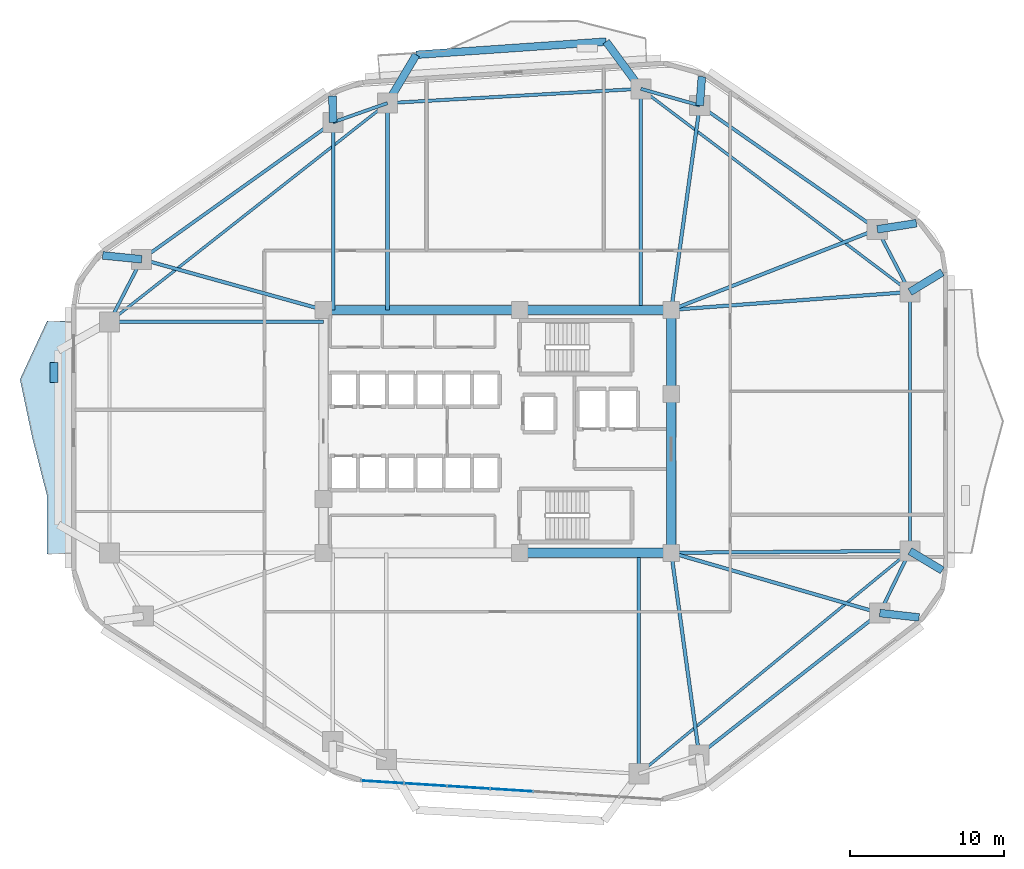
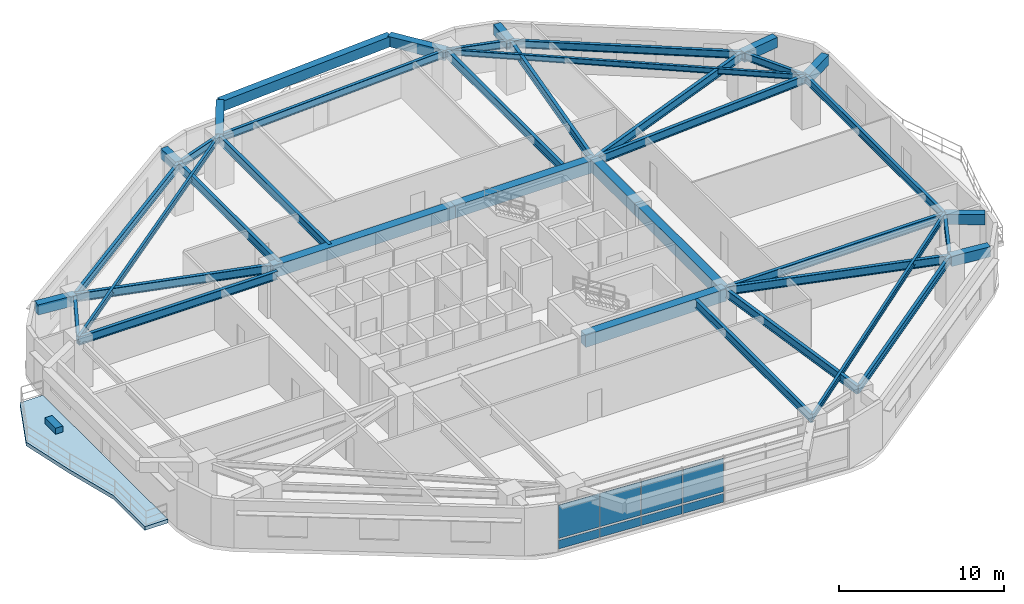
# One storey, part 6 of 13: 40 beams, 9 plates, 1 slab, 1 element without a shape of its own.
"""IFC4 building model written with IfcOpenShell, lengths in metres."""

from ifc_helpers import new_model, si_unit, direction, frame, origin, origin_2d, place, context, subcontext, project, spatial, polyline, rectangle, i_section, outline, extrude, material, layer, layer_set, material_profile, profile_set, type_object, element, aggregate, save


model = new_model("IFC4")

# Units and contexts
model_context = context("Model", 3, precision=1e-05, world=origin(), true_north=direction((0.0, 1.0)))
body_context = subcontext(model_context, "Body", "Model", "MODEL_VIEW")
ifc_project = project(units=[si_unit("LENGTHUNIT", "METRE"), si_unit("AREAUNIT", "SQUARE_METRE"), si_unit("VOLUMEUNIT", "CUBIC_METRE"), si_unit("PLANEANGLEUNIT", "RADIAN"), si_unit("MASSUNIT", "GRAM", prefix="KILO")], contexts=[model_context])

# Site, building, storey
site_placement = place(None, origin())
site = spatial("IfcSite", under=ifc_project, at=site_placement, CompositionType="ELEMENT")
building_placement = place(site_placement, origin())
building = spatial("IfcBuilding", under=site, at=building_placement, Name="Zulverin Broadcast Headquarters", CompositionType="ELEMENT")
storey_placement = place(building_placement, frame((0.0, 0.0, 47.800048828125)))
storey = spatial("IfcBuildingStorey", under=building, at=storey_placement, Name="L11", CompositionType="ELEMENT", Elevation=47.800048828125)

# Beams
ifc_material_1 = material(Name="Concrete C60/75", Category="concrete")
ifc_material_profile_1 = material_profile(ifc_material_1, rectangle(XDim=0.60009765625, YDim=0.89990234375, at=origin_2d()), Name="Concrete C60/75", Category="concrete")
ifc_profile_set_1 = profile_set([ifc_material_profile_1], Name="Concrete C60/75")
beam_type_1 = type_object("IfcBeamType", Name="BM-CB-600x900", PredefinedType="LINTEL", material=ifc_profile_set_1)
beam_1_placement = place(storey_placement, frame((38.449951171875, 17.324951171875, 3.074951171875), z_axis=(1.0, 0.0, 0.0), x_axis=(0.0, 1.0, 0.0)))
element("IfcBeam", 1, at=beam_1_placement, inside=storey, type_object=beam_type_1, Name="L11 Core Coupling Girder K02-K03", PredefinedType="LINTEL", context=body_context, shape_type="SweptSolid", body=[
    extrude(rectangle(XDim=0.60009765625, YDim=0.89990234375, at=origin_2d()), origin(), (0.0, 0.0, 1.0), 9.824951171875),
])
beam_2_placement = place(storey_placement, frame((48.27490234375, 17.324951171875, 3.074951171875), z_axis=(0.0, 1.0, 0.0), x_axis=(-1.0, 0.0, 0.0)))
element("IfcBeam", 2, at=beam_2_placement, inside=storey, type_object=beam_type_1, Name="L11 Core Coupling Girder K03-K04", PredefinedType="LINTEL", context=body_context, shape_type="SweptSolid", body=[
    extrude(rectangle(XDim=0.60009765625, YDim=0.89990234375, at=origin_2d()), origin(), (0.0, 0.0, 1.0), 10.295166015625),
])
beam_3_placement = place(storey_placement, frame((48.27490234375, 27.6201171875, 3.074951171875), z_axis=(0.0, 1.0, 0.0), x_axis=(-1.0, 0.0, 0.0)))
element("IfcBeam", 3, at=beam_3_placement, inside=storey, type_object=beam_type_1, Name="L11 Core Coupling Girder K04-K05", PredefinedType="LINTEL", context=body_context, shape_type="SweptSolid", body=[
    extrude(rectangle(XDim=0.60009765625, YDim=0.89990234375, at=origin_2d()), origin(), (0.0, 0.0, 1.0), 5.454833984375),
])
beam_4_placement = place(storey_placement, frame((48.27490234375, 33.074951171875, 3.074951171875), z_axis=(-1.0, 0.0, 0.0), x_axis=(0.0, -1.0, 0.0)))
element("IfcBeam", 4, at=beam_4_placement, inside=storey, type_object=beam_type_1, Name="L11 Core Coupling Girder K05-K06", PredefinedType="LINTEL", context=body_context, shape_type="SweptSolid", body=[
    extrude(rectangle(XDim=0.60009765625, YDim=0.89990234375, at=origin_2d()), origin(), (0.0, 0.0, 1.0), 9.824951171875),
])
beam_5_placement = place(storey_placement, frame((38.449951171875, 33.074951171875, 3.074951171875), z_axis=(-1.0, 0.0, 0.0), x_axis=(0.0, -1.0, 0.0)))
element("IfcBeam", 5, at=beam_5_placement, inside=storey, type_object=beam_type_1, Name="L11 Core Coupling Girder K06-K07", PredefinedType="LINTEL", context=body_context, shape_type="SweptSolid", body=[
    extrude(rectangle(XDim=0.60009765625, YDim=0.89990234375, at=origin_2d()), origin(), (0.0, 0.0, 1.0), 12.724853515625),
])
ifc_material_2 = material(Name="Concrete C40/50", Category="concrete")
ifc_material_profile_2 = material_profile(ifc_material_2, rectangle(XDim=0.5, YDim=0.75, at=origin_2d()), Name="Concrete C40/50", Category="concrete")
ifc_profile_set_2 = profile_set([ifc_material_profile_2], Name="Concrete C40/50")
beam_type_2 = type_object("IfcBeamType", Name="BM-RC-500x750", PredefinedType="BEAM", material=ifc_profile_set_2)
beam_6_placement = place(storey_placement, frame((61.79296875, 13.416259765625, 3.14990234375), z_axis=(0.993797661948, -0.111203449166, 0.0), x_axis=(0.111203449166, 0.993797661948, 0.0)))
element("IfcBeam", 6, at=beam_6_placement, inside=storey, type_object=beam_type_2, Name="L12 Plate Overhang Back-Spanned Beam OVR-04", PredefinedType="BEAM", context=body_context, shape_type="SweptSolid", body=[
    extrude(rectangle(XDim=0.5, YDim=0.75, at=origin_2d()), origin(), (0.0, 0.0, 1.0), 2.568603515625),
])
beam_7_placement = place(storey_placement, frame((63.75, 17.439697265625, 3.14990234375), z_axis=(0.858161199639, -0.513380322407, 0.0), x_axis=(0.513380322407, 0.858161199639, 0.0)))
element("IfcBeam", 7, at=beam_7_placement, inside=storey, type_object=beam_type_2, Name="L12 Plate Overhang Back-Spanned Beam OVR-05", PredefinedType="BEAM", context=body_context, shape_type="SweptSolid", body=[
    extrude(rectangle(XDim=0.5, YDim=0.75, at=origin_2d()), origin(), (0.0, 0.0, 1.0), 2.447265625),
])
beam_8_placement = place(storey_placement, frame((63.75, 34.235107421875, 3.14990234375), z_axis=(0.854022127196, 0.520236682924, 0.0), x_axis=(-0.520236682924, 0.854022127196, 0.0)))
element("IfcBeam", 8, at=beam_8_placement, inside=storey, type_object=beam_type_2, Name="L12 Plate Overhang Back-Spanned Beam OVR-06", PredefinedType="BEAM", context=body_context, shape_type="SweptSolid", body=[
    extrude(rectangle(XDim=0.5, YDim=0.75, at=origin_2d()), origin(), (0.0, 0.0, 1.0), 2.458984375),
])
beam_9_placement = place(storey_placement, frame((61.630126953125, 38.298583984375, 3.14990234375), z_axis=(0.988133444256, 0.153597839639, 0.0), x_axis=(-0.153597839639, 0.988133444256, 0.0)))
element("IfcBeam", 9, at=beam_9_placement, inside=storey, type_object=beam_type_2, Name="L12 Plate Overhang Back-Spanned Beam OVR-07", PredefinedType="BEAM", context=body_context, shape_type="SweptSolid", body=[
    extrude(rectangle(XDim=0.5, YDim=0.75, at=origin_2d()), origin(), (0.0, 0.0, 1.0), 2.57177734375),
])
beam_10_placement = place(storey_placement, frame((50.121826171875, 46.325927734375, 3.14990234375), z_axis=(0.073023006252, 0.997330256514, 0.0), x_axis=(-0.997330256514, 0.073023006252, 0.0)))
element("IfcBeam", 10, at=beam_10_placement, inside=storey, type_object=beam_type_2, Name="L12 Plate Overhang Back-Spanned Beam OVR-08", PredefinedType="BEAM", context=body_context, shape_type="SweptSolid", body=[
    extrude(rectangle(XDim=0.5, YDim=0.75, at=origin_2d()), origin(), (0.0, 0.0, 1.0), 1.875732421875),
])
beam_11_placement = place(storey_placement, frame((26.344482421875, 45.23828125, 3.14990234375), z_axis=(-0.025024345209, 0.999686842039, 0.0), x_axis=(-0.999686842039, -0.025024345209, 0.0)))
element("IfcBeam", 11, at=beam_11_placement, inside=storey, type_object=beam_type_2, Name="L12 Plate Overhang Back-Spanned Beam OVR-11", PredefinedType="BEAM", context=body_context, shape_type="SweptSolid", body=[
    extrude(rectangle(XDim=0.5, YDim=0.75, at=origin_2d()), origin(), (0.0, 0.0, 1.0), 1.707275390625),
])
beam_12_placement = place(storey_placement, frame((13.934326171875, 36.353759765625, 3.14990234375), z_axis=(-0.995008621602, 0.09978899207, 0.0), x_axis=(-0.09978899207, -0.995008621602, 0.0)))
element("IfcBeam", 12, at=beam_12_placement, inside=storey, type_object=beam_type_2, Name="L12 Plate Overhang Back-Spanned Beam OVR-12", PredefinedType="BEAM", context=body_context, shape_type="SweptSolid", body=[
    extrude(rectangle(XDim=0.5, YDim=0.75, at=origin_2d()), origin(), (0.0, 0.0, 1.0), 2.5419921875),
])
beam_13_placement = place(storey_placement, frame((46.30224609375, 47.4091796875, 3.14990234375), z_axis=(-0.592925064887, 0.805257640404, 0.0), x_axis=(-0.805257640404, -0.592925064887, 0.0)))
element("IfcBeam", 13, at=beam_13_placement, inside=storey, type_object=beam_type_2, Name="L12 Balcony Column-Framed Cantilever BAL_N-1", PredefinedType="BEAM", context=body_context, shape_type="SweptSolid", body=[
    extrude(rectangle(XDim=0.5, YDim=0.75, at=origin_2d()), origin(), (0.0, 0.0, 1.0), 3.800048828125),
])
beam_14_placement = place(storey_placement, frame((29.873779296875, 46.482177734375, 3.14990234375), z_axis=(0.511007233639, 0.859576411477, 0.0), x_axis=(-0.859576411477, 0.511007233639, 0.0)))
element("IfcBeam", 14, at=beam_14_placement, inside=storey, type_object=beam_type_2, Name="L12 Balcony Column-Framed Cantilever BAL_N-2", PredefinedType="BEAM", context=body_context, shape_type="SweptSolid", body=[
    extrude(rectangle(XDim=0.5, YDim=0.75, at=origin_2d()), origin(), (0.0, 0.0, 1.0), 3.647705078125),
])
beam_15_placement = place(storey_placement, frame((44.049072265625, 50.46923828125, 3.14990234375), z_axis=(-0.997616354187, -0.069004419129, 0.0), x_axis=(0.069004419129, -0.997616354187, 0.0)))
element("IfcBeam", 15, at=beam_15_placement, inside=storey, type_object=beam_type_2, Name="L12 Balcony Outer Edge Trimmer Beam BAL_N", PredefinedType="BEAM", context=body_context, shape_type="SweptSolid", body=[
    extrude(rectangle(XDim=0.5, YDim=0.75, at=origin_2d()), origin(), (0.0, 0.0, 1.0), 12.340576171875),
])
ifc_material_3 = material(Name="Structural steel S355JR", Category="steel")
ifc_material_profile_3 = material_profile(ifc_material_3, i_section(OverallWidth=0.179443359375, OverallDepth=0.412841796875, WebThickness=0.009521484375, FlangeThickness=0.01611328125, at=origin_2d()), Name="Structural steel S355JR", Category="steel")
ifc_profile_set_3 = profile_set([ifc_material_profile_3], Name="Structural steel S355JR")
beam_type_3 = type_object("IfcBeamType", Name="BM-UB-406", PredefinedType="JOIST", material=ifc_profile_set_3)
beam_16_placement = place(storey_placement, frame((46.175048828125, 2.997802734375, 3.318603515625), z_axis=(0.772611370623, 0.634879256224, 0.0), x_axis=(-0.634879256224, 0.772611370623, 0.0)))
element("IfcBeam", 16, at=beam_16_placement, inside=storey, type_object=beam_type_3, Name="L11 Chordal Floor Joist J-01", PredefinedType="JOIST", context=body_context, shape_type="SweptSolid", body=[
    extrude(i_section(OverallWidth=0.179443359375, OverallDepth=0.412841796875, WebThickness=0.009521484375, FlangeThickness=0.01611328125, at=origin_2d()), origin(), (0.0, 0.0, 1.0), 22.74755859375),
])
beam_17_placement = place(storey_placement, frame((63.75, 34.235107421875, 3.318603515625), z_axis=(-0.798058136838, 0.602580459546, 0.0), x_axis=(-0.602580459546, -0.798058136838, 0.0)))
element("IfcBeam", 17, at=beam_17_placement, inside=storey, type_object=beam_type_3, Name="L11 Chordal Floor Joist J-02", PredefinedType="JOIST", context=body_context, shape_type="SweptSolid", body=[
    extrude(i_section(OverallWidth=0.179443359375, OverallDepth=0.412841796875, WebThickness=0.009521484375, FlangeThickness=0.01611328125, at=origin_2d()), origin(), (0.0, 0.0, 1.0), 21.86279296875),
])
beam_18_placement = place(storey_placement, frame((29.873779296875, 46.482177734375, 3.318603515625), z_axis=(-0.78583902739, -0.618431098047, 0.0), x_axis=(0.618431098047, -0.78583902739, 0.0)))
element("IfcBeam", 18, at=beam_18_placement, inside=storey, type_object=beam_type_3, Name="L11 Chordal Floor Joist J-03", PredefinedType="JOIST", context=body_context, shape_type="SweptSolid", body=[
    extrude(i_section(OverallWidth=0.179443359375, OverallDepth=0.412841796875, WebThickness=0.009521484375, FlangeThickness=0.01611328125, at=origin_2d()), origin(), (0.0, 0.0, 1.0), 22.935546875),
])
ifc_material_profile_4 = material_profile(ifc_material_3, i_section(OverallWidth=0.2119140625, OverallDepth=0.54443359375, WebThickness=0.0126953125, FlangeThickness=0.021240234375, at=origin_2d()), Name="Structural steel S355JR", Category="steel")
ifc_profile_set_4 = profile_set([ifc_material_profile_4], Name="Structural steel S355JR")
beam_type_4 = type_object("IfcBeamType", Name="BM-UB-533", PredefinedType="SPANDREL", material=ifc_profile_set_4)
beam_19_placement = place(storey_placement, frame((50.08056640625, 4.22509765625, 3.252685546875), z_axis=(0.786691476208, 0.617346354376, 0.0), x_axis=(-0.617346354376, 0.786691476208, 0.0)))
element("IfcBeam", 19, at=beam_19_placement, inside=storey, type_object=beam_type_4, Name="L11 Perimeter Spandrel Beam SP-03", PredefinedType="SPANDREL", context=body_context, shape_type="SweptSolid", body=[
    extrude(i_section(OverallWidth=0.2119140625, OverallDepth=0.54443359375, WebThickness=0.0126953125, FlangeThickness=0.021240234375, at=origin_2d()), origin(), (0.0, 0.0, 1.0), 14.88818359375),
])
beam_20_placement = place(storey_placement, frame((61.79296875, 13.416259765625, 3.252685546875), z_axis=(0.437408475872, 0.899262934428, 0.0), x_axis=(-0.899262934428, 0.437408475872, 0.0)))
element("IfcBeam", 20, at=beam_20_placement, inside=storey, type_object=beam_type_4, Name="L11 Perimeter Spandrel Beam SP-04", PredefinedType="SPANDREL", context=body_context, shape_type="SweptSolid", body=[
    extrude(i_section(OverallWidth=0.2119140625, OverallDepth=0.54443359375, WebThickness=0.0126953125, FlangeThickness=0.021240234375, at=origin_2d()), origin(), (0.0, 0.0, 1.0), 4.47412109375),
])
beam_21_placement = place(storey_placement, frame((63.75, 17.439697265625, 3.252685546875), z_axis=(0.0, 1.0, 0.0), x_axis=(-1.0, 0.0, 0.0)))
element("IfcBeam", 21, at=beam_21_placement, inside=storey, type_object=beam_type_4, Name="L11 Perimeter Spandrel Beam SP-05", PredefinedType="SPANDREL", context=body_context, shape_type="SweptSolid", body=[
    extrude(i_section(OverallWidth=0.2119140625, OverallDepth=0.54443359375, WebThickness=0.0126953125, FlangeThickness=0.021240234375, at=origin_2d()), origin(), (0.0, 0.0, 1.0), 16.79541015625),
])
beam_22_placement = place(storey_placement, frame((63.75, 34.235107421875, 3.252685546875), z_axis=(-0.462531417359, 0.886602891917, 0.0), x_axis=(-0.886602891917, -0.462531417359, 0.0)))
element("IfcBeam", 22, at=beam_22_placement, inside=storey, type_object=beam_type_4, Name="L11 Perimeter Spandrel Beam SP-06", PredefinedType="SPANDREL", context=body_context, shape_type="SweptSolid", body=[
    extrude(i_section(OverallWidth=0.2119140625, OverallDepth=0.54443359375, WebThickness=0.0126953125, FlangeThickness=0.021240234375, at=origin_2d()), origin(), (0.0, 0.0, 1.0), 4.583251953125),
])
beam_23_placement = place(storey_placement, frame((61.630126953125, 38.298583984375, 3.252685546875), z_axis=(-0.820183915206, 0.5720999434, 0.0), x_axis=(-0.5720999434, -0.820183915206, 0.0)))
element("IfcBeam", 23, at=beam_23_placement, inside=storey, type_object=beam_type_4, Name="L11 Perimeter Spandrel Beam SP-07", PredefinedType="SPANDREL", context=body_context, shape_type="SweptSolid", body=[
    extrude(i_section(OverallWidth=0.2119140625, OverallDepth=0.54443359375, WebThickness=0.0126953125, FlangeThickness=0.021240234375, at=origin_2d()), origin(), (0.0, 0.0, 1.0), 14.03125),
])
beam_24_placement = place(storey_placement, frame((50.121826171875, 46.325927734375, 3.252685546875), z_axis=(-0.962058150721, 0.272844487999, 0.0), x_axis=(-0.272844487999, -0.962058150721, 0.0)))
element("IfcBeam", 24, at=beam_24_placement, inside=storey, type_object=beam_type_4, Name="L11 Perimeter Spandrel Beam SP-08", PredefinedType="SPANDREL", context=body_context, shape_type="SweptSolid", body=[
    extrude(i_section(OverallWidth=0.2119140625, OverallDepth=0.54443359375, WebThickness=0.0126953125, FlangeThickness=0.021240234375, at=origin_2d()), origin(), (0.0, 0.0, 1.0), 3.97021484375),
])
beam_25_placement = place(storey_placement, frame((46.30224609375, 47.4091796875, 3.252685546875), z_axis=(-0.998411812904, -0.056336949274, 0.0), x_axis=(0.056336949274, -0.998411812904, 0.0)))
element("IfcBeam", 25, at=beam_25_placement, inside=storey, type_object=beam_type_4, Name="L11 Perimeter Spandrel Beam SP-09", PredefinedType="SPANDREL", context=body_context, shape_type="SweptSolid", body=[
    extrude(i_section(OverallWidth=0.2119140625, OverallDepth=0.54443359375, WebThickness=0.0126953125, FlangeThickness=0.021240234375, at=origin_2d()), origin(), (0.0, 0.0, 1.0), 16.45458984375),
])
beam_26_placement = place(storey_placement, frame((29.873779296875, 46.482177734375, 3.252685546875), z_axis=(-0.943135983398, -0.332407155189, 0.0), x_axis=(0.332407155189, -0.943135983398, 0.0)))
element("IfcBeam", 26, at=beam_26_placement, inside=storey, type_object=beam_type_4, Name="L11 Perimeter Spandrel Beam SP-10", PredefinedType="SPANDREL", context=body_context, shape_type="SweptSolid", body=[
    extrude(i_section(OverallWidth=0.2119140625, OverallDepth=0.54443359375, WebThickness=0.0126953125, FlangeThickness=0.021240234375, at=origin_2d()), origin(), (0.0, 0.0, 1.0), 3.7421875),
])
beam_27_placement = place(storey_placement, frame((26.344482421875, 45.23828125, 3.252685546875), z_axis=(-0.813109374453, -0.582110938891, 0.0), x_axis=(0.582110938891, -0.813109374453, 0.0)))
element("IfcBeam", 27, at=beam_27_placement, inside=storey, type_object=beam_type_4, Name="L11 Perimeter Spandrel Beam SP-11", PredefinedType="SPANDREL", context=body_context, shape_type="SweptSolid", body=[
    extrude(i_section(OverallWidth=0.2119140625, OverallDepth=0.54443359375, WebThickness=0.0126953125, FlangeThickness=0.021240234375, at=origin_2d()), origin(), (0.0, 0.0, 1.0), 15.2626953125),
])
beam_28_placement = place(storey_placement, frame((13.934326171875, 36.353759765625, 3.252685546875), z_axis=(-0.457080631948, -0.889425261558, 0.0), x_axis=(0.889425261558, -0.457080631948, 0.0)))
element("IfcBeam", 28, at=beam_28_placement, inside=storey, type_object=beam_type_4, Name="L11 Perimeter Spandrel Beam SP-12", PredefinedType="SPANDREL", context=body_context, shape_type="SweptSolid", body=[
    extrude(i_section(OverallWidth=0.2119140625, OverallDepth=0.54443359375, WebThickness=0.0126953125, FlangeThickness=0.021240234375, at=origin_2d()), origin(), (0.0, 0.0, 1.0), 4.559814453125),
])
ifc_material_profile_5 = material_profile(ifc_material_3, i_section(OverallWidth=0.230224609375, OverallDepth=0.6171875, WebThickness=0.01318359375, FlangeThickness=0.022216796875, at=origin_2d()), Name="Structural steel S355JR", Category="steel")
ifc_profile_set_5 = profile_set([ifc_material_profile_5], Name="Structural steel S355JR")
beam_type_5 = type_object("IfcBeamType", Name="BM-UB-610", PredefinedType="BEAM", material=ifc_profile_set_5)
beam_29_placement = place(storey_placement, frame((46.175048828125, 17.324951171875, 3.21630859375), z_axis=(0.0, -1.0, 0.0), x_axis=(1.0, 0.0, 0.0)))
element("IfcBeam", 29, at=beam_29_placement, inside=storey, type_object=beam_type_5, Name="L11 Radial Primary Floor Beam RB-02", PredefinedType="BEAM", context=body_context, shape_type="SweptSolid", body=[
    extrude(i_section(OverallWidth=0.230224609375, OverallDepth=0.6171875, WebThickness=0.01318359375, FlangeThickness=0.022216796875, at=origin_2d()), origin(), (0.0, 0.0, 1.0), 14.3271484375),
])
beam_30_placement = place(storey_placement, frame((48.27490234375, 17.324951171875, 3.21630859375), z_axis=(0.136547433081, -0.990633533916, 0.0), x_axis=(0.990633533916, 0.136547433081, 0.0)))
element("IfcBeam", 30, at=beam_30_placement, inside=storey, type_object=beam_type_5, Name="L11 Radial Primary Floor Beam RB-03", PredefinedType="BEAM", context=body_context, shape_type="SweptSolid", body=[
    extrude(i_section(OverallWidth=0.230224609375, OverallDepth=0.6171875, WebThickness=0.01318359375, FlangeThickness=0.022216796875, at=origin_2d()), origin(), (0.0, 0.0, 1.0), 13.2236328125),
])
beam_31_placement = place(storey_placement, frame((48.27490234375, 17.324951171875, 3.21630859375), z_axis=(0.960648363311, -0.277767388416, 0.0), x_axis=(0.277767388416, 0.960648363311, 0.0)))
element("IfcBeam", 31, at=beam_31_placement, inside=storey, type_object=beam_type_5, Name="L11 Radial Primary Floor Beam RB-04", PredefinedType="BEAM", context=body_context, shape_type="SweptSolid", body=[
    extrude(i_section(OverallWidth=0.230224609375, OverallDepth=0.6171875, WebThickness=0.01318359375, FlangeThickness=0.022216796875, at=origin_2d()), origin(), (0.0, 0.0, 1.0), 14.07177734375),
])
beam_32_placement = place(storey_placement, frame((48.27490234375, 17.324951171875, 3.21630859375), z_axis=(0.999972510862, 0.007414682739, 0.0), x_axis=(-0.007414682739, 0.999972510862, 0.0)))
element("IfcBeam", 32, at=beam_32_placement, inside=storey, type_object=beam_type_5, Name="L11 Radial Primary Floor Beam RB-05", PredefinedType="BEAM", context=body_context, shape_type="SweptSolid", body=[
    extrude(i_section(OverallWidth=0.230224609375, OverallDepth=0.6171875, WebThickness=0.01318359375, FlangeThickness=0.022216796875, at=origin_2d()), origin(), (0.0, 0.0, 1.0), 15.4755859375),
])
beam_33_placement = place(storey_placement, frame((48.27490234375, 33.074951171875, 3.21630859375), z_axis=(0.997201597387, 0.074759442003, 0.0), x_axis=(-0.074759442003, 0.997201597387, 0.0)))
element("IfcBeam", 33, at=beam_33_placement, inside=storey, type_object=beam_type_5, Name="L11 Radial Primary Floor Beam RB-06", PredefinedType="BEAM", context=body_context, shape_type="SweptSolid", body=[
    extrude(i_section(OverallWidth=0.230224609375, OverallDepth=0.6171875, WebThickness=0.01318359375, FlangeThickness=0.022216796875, at=origin_2d()), origin(), (0.0, 0.0, 1.0), 15.5185546875),
])
beam_34_placement = place(storey_placement, frame((48.27490234375, 33.074951171875, 3.21630859375), z_axis=(0.931297778153, 0.364258765723, 0.0), x_axis=(-0.364258765723, 0.931297778153, 0.0)))
element("IfcBeam", 34, at=beam_34_placement, inside=storey, type_object=beam_type_5, Name="L11 Radial Primary Floor Beam RB-07", PredefinedType="BEAM", context=body_context, shape_type="SweptSolid", body=[
    extrude(i_section(OverallWidth=0.230224609375, OverallDepth=0.6171875, WebThickness=0.01318359375, FlangeThickness=0.022216796875, at=origin_2d()), origin(), (0.0, 0.0, 1.0), 14.34033203125),
])
beam_35_placement = place(storey_placement, frame((48.27490234375, 33.074951171875, 3.21630859375), z_axis=(0.138045758193, 0.990425852169, 0.0), x_axis=(-0.990425852169, 0.138045758193, 0.0)))
element("IfcBeam", 35, at=beam_35_placement, inside=storey, type_object=beam_type_5, Name="L11 Radial Primary Floor Beam RB-08", PredefinedType="BEAM", context=body_context, shape_type="SweptSolid", body=[
    extrude(i_section(OverallWidth=0.230224609375, OverallDepth=0.6171875, WebThickness=0.01318359375, FlangeThickness=0.022216796875, at=origin_2d()), origin(), (0.0, 0.0, 1.0), 13.379150390625),
])
beam_36_placement = place(storey_placement, frame((46.30224609375, 33.074951171875, 3.21630859375), z_axis=(0.0, 1.0, 0.0), x_axis=(-1.0, 0.0, 0.0)))
element("IfcBeam", 36, at=beam_36_placement, inside=storey, type_object=beam_type_5, Name="L11 Radial Primary Floor Beam RB-09", PredefinedType="BEAM", context=body_context, shape_type="SweptSolid", body=[
    extrude(i_section(OverallWidth=0.230224609375, OverallDepth=0.6171875, WebThickness=0.01318359375, FlangeThickness=0.022216796875, at=origin_2d()), origin(), (0.0, 0.0, 1.0), 14.334228515625),
])
beam_37_placement = place(storey_placement, frame((29.873779296875, 33.074951171875, 3.21630859375), z_axis=(0.0, 1.0, 0.0), x_axis=(-1.0, 0.0, 0.0)))
element("IfcBeam", 37, at=beam_37_placement, inside=storey, type_object=beam_type_5, Name="L11 Radial Primary Floor Beam RB-10", PredefinedType="BEAM", context=body_context, shape_type="SweptSolid", body=[
    extrude(i_section(OverallWidth=0.230224609375, OverallDepth=0.6171875, WebThickness=0.01318359375, FlangeThickness=0.022216796875, at=origin_2d()), origin(), (0.0, 0.0, 1.0), 13.4072265625),
])
beam_38_placement = place(storey_placement, frame((26.344482421875, 33.074951171875, 3.21630859375), z_axis=(0.0, 1.0, 0.0), x_axis=(-1.0, 0.0, 0.0)))
element("IfcBeam", 38, at=beam_38_placement, inside=storey, type_object=beam_type_5, Name="L11 Radial Primary Floor Beam RB-11", PredefinedType="BEAM", context=body_context, shape_type="SweptSolid", body=[
    extrude(i_section(OverallWidth=0.230224609375, OverallDepth=0.6171875, WebThickness=0.01318359375, FlangeThickness=0.022216796875, at=origin_2d()), origin(), (0.0, 0.0, 1.0), 12.163330078125),
])
beam_39_placement = place(storey_placement, frame((25.72509765625, 33.074951171875, 3.21630859375), z_axis=(-0.963442133037, 0.267916509922, 0.0), x_axis=(-0.267916509922, -0.963442133037, 0.0)))
element("IfcBeam", 39, at=beam_39_placement, inside=storey, type_object=beam_type_5, Name="L11 Radial Primary Floor Beam RB-12", PredefinedType="BEAM", context=body_context, shape_type="SweptSolid", body=[
    extrude(i_section(OverallWidth=0.230224609375, OverallDepth=0.6171875, WebThickness=0.01318359375, FlangeThickness=0.022216796875, at=origin_2d()), origin(), (0.0, 0.0, 1.0), 12.23828125),
])
beam_40_placement = place(storey_placement, frame((25.72509765625, 32.298095703125, 3.21630859375), z_axis=(-1.0, 0.0, 0.0), x_axis=(0.0, -1.0, 0.0)))
element("IfcBeam", 40, at=beam_40_placement, inside=storey, type_object=beam_type_5, Name="L11 Radial Primary Floor Beam RB-13", PredefinedType="BEAM", context=body_context, shape_type="SweptSolid", body=[
    extrude(i_section(OverallWidth=0.230224609375, OverallDepth=0.6171875, WebThickness=0.01318359375, FlangeThickness=0.022216796875, at=origin_2d()), origin(), (0.0, 0.0, 1.0), 13.875),
])

# Curtain wall, plates
ifc_material_4 = material(Name="Low-zone ribbon unitised curtain wall", Category="aluminium")
curtain_wall_type = type_object("IfcCurtainWallType", Name="CW-TWR-LOW", PredefinedType="USERDEFINED", material=ifc_material_4)
curtain_wall_placement = place(storey_placement, origin())
curtain_wall = element("IfcCurtainWall", 41, at=curtain_wall_placement, inside=storey, type_object=curtain_wall_type, Name="L11 Unitised Curtain Wall CW-L11-E1", ObjectType="UNITISED CURTAIN WALL", PredefinedType="USERDEFINED")
ifc_material_5 = material(Name="Low-E double-glazed pale-silver vision glass", Category="glass")
ifc_layer_1 = layer(ifc_material_5, 0.035888671875, Name="Low-E double-glazed pale-silver vision glass", Category="glass")
ifc_layer_set_1 = layer_set([ifc_layer_1], Name="Low-E double-glazed pale-silver vision glass")
plate_type_1 = type_object("IfcPlateType", Name="CW-PNL-GLZ", PredefinedType="CURTAIN_PANEL", material=ifc_layer_set_1)
plate_1_placement = place(storey_placement, frame((29.5556640625, 2.463134765625, 0.910888671875), z_axis=(0.0, 0.0, 1.0), x_axis=(0.998017182581, -0.062942062821, 0.0)))
plate_1 = element("IfcPlate", 42, at=plate_1_placement, type_object=plate_type_1, Name="CW-L11-E1 Vision Panel 00", PredefinedType="CURTAIN_PANEL", context=body_context, shape_type="SweptSolid", body=[
    extrude(rectangle(XDim=2.756591796875, YDim=0.035888671875, at=origin_2d()), origin(), (0.0, 0.0, 1.0), 2.47412109375),
])
plate_2_placement = place(storey_placement, frame((32.3466796875, 2.287109375, 0.910888671875), z_axis=(0.0, 0.0, 1.0), x_axis=(0.998017182581, -0.062942062821, 0.0)))
plate_2 = element("IfcPlate", 43, at=plate_2_placement, type_object=plate_type_1, Name="CW-L11-E1 Vision Panel 01", PredefinedType="CURTAIN_PANEL", context=body_context, shape_type="SweptSolid", body=[
    extrude(rectangle(XDim=2.756591796875, YDim=0.035888671875, at=origin_2d()), origin(), (0.0, 0.0, 1.0), 2.47412109375),
])
plate_3_placement = place(storey_placement, frame((35.137939453125, 2.111083984375, 0.910888671875), z_axis=(0.0, 0.0, 1.0), x_axis=(0.998017182581, -0.062942062821, 0.0)))
plate_3 = element("IfcPlate", 44, at=plate_3_placement, type_object=plate_type_1, Name="CW-L11-E1 Vision Panel 02", PredefinedType="CURTAIN_PANEL", context=body_context, shape_type="SweptSolid", body=[
    extrude(rectangle(XDim=2.756591796875, YDim=0.035888671875, at=origin_2d()), origin(), (0.0, 0.0, 1.0), 2.47412109375),
])
plate_4_placement = place(storey_placement, frame((37.92919921875, 1.93505859375, 0.910888671875), z_axis=(0.0, 0.0, 1.0), x_axis=(0.998017182581, -0.062942062821, 0.0)))
plate_4 = element("IfcPlate", 45, at=plate_4_placement, type_object=plate_type_1, Name="CW-L11-E1 Vision Panel 03", PredefinedType="CURTAIN_PANEL", context=body_context, shape_type="SweptSolid", body=[
    extrude(rectangle(XDim=2.756591796875, YDim=0.035888671875, at=origin_2d()), origin(), (0.0, 0.0, 1.0), 2.47412109375),
])
ifc_material_6 = material(Name="Insulated brushed pale-aluminium spandrel cassette", Category="aluminium")
ifc_layer_2 = layer(ifc_material_6, 0.050048828125, Name="Insulated brushed pale-aluminium spandrel cassette", Category="aluminium")
ifc_layer_set_2 = layer_set([ifc_layer_2], Name="Insulated brushed pale-aluminium spandrel cassette")
plate_type_2 = type_object("IfcPlateType", Name="CW-PNL-SPN", PredefinedType="CURTAIN_PANEL", material=ifc_layer_set_2)
plate_5_placement = place(storey_placement, frame((29.5556640625, 2.463134765625, 0.139892578125), z_axis=(0.0, 0.0, 1.0), x_axis=(0.998017182581, -0.062942062821, 0.0)))
plate_5 = element("IfcPlate", 46, at=plate_5_placement, type_object=plate_type_2, Name="CW-L11-E1 Spandrel Cassette 00", PredefinedType="CURTAIN_PANEL", context=body_context, shape_type="SweptSolid", body=[
    extrude(rectangle(XDim=2.756591796875, YDim=0.050048828125, at=origin_2d()), origin(), (0.0, 0.0, 1.0), 0.64111328125),
])
plate_6_placement = place(storey_placement, frame((32.3466796875, 2.287109375, 0.139892578125), z_axis=(0.0, 0.0, 1.0), x_axis=(0.998017182581, -0.062942062821, 0.0)))
plate_6 = element("IfcPlate", 47, at=plate_6_placement, type_object=plate_type_2, Name="CW-L11-E1 Spandrel Cassette 01", PredefinedType="CURTAIN_PANEL", context=body_context, shape_type="SweptSolid", body=[
    extrude(rectangle(XDim=2.756591796875, YDim=0.050048828125, at=origin_2d()), origin(), (0.0, 0.0, 1.0), 0.64111328125),
])
plate_7_placement = place(storey_placement, frame((35.137939453125, 2.111083984375, 0.139892578125), z_axis=(0.0, 0.0, 1.0), x_axis=(0.998017182581, -0.062942062821, 0.0)))
plate_7 = element("IfcPlate", 48, at=plate_7_placement, type_object=plate_type_2, Name="CW-L11-E1 Spandrel Cassette 02", PredefinedType="CURTAIN_PANEL", context=body_context, shape_type="SweptSolid", body=[
    extrude(rectangle(XDim=2.756591796875, YDim=0.050048828125, at=origin_2d()), origin(), (0.0, 0.0, 1.0), 0.64111328125),
])
plate_8_placement = place(storey_placement, frame((37.92919921875, 1.93505859375, 0.139892578125), z_axis=(0.0, 0.0, 1.0), x_axis=(0.998017182581, -0.062942062821, 0.0)))
plate_8 = element("IfcPlate", 49, at=plate_8_placement, type_object=plate_type_2, Name="CW-L11-E1 Spandrel Cassette 03", PredefinedType="CURTAIN_PANEL", context=body_context, shape_type="SweptSolid", body=[
    extrude(rectangle(XDim=2.756591796875, YDim=0.050048828125, at=origin_2d()), origin(), (0.0, 0.0, 1.0), 0.64111328125),
])
aggregate(curtain_wall, [plate_5, plate_1, plate_6, plate_2, plate_7, plate_3, plate_8, plate_4])

# Plate
ifc_material_7 = material(Name="Precast concrete C45/55", Category="concrete")
ifc_layer_3 = layer(ifc_material_7, 0.449951171875, Name="Precast concrete C45/55", Category="concrete")
ifc_layer_set_3 = layer_set([ifc_layer_3], Name="Precast concrete C45/55")
plate_type_3 = type_object("IfcPlateType", Name="PT-01_PRECAST_GFRC_TREE_PLANTER", PredefinedType="USERDEFINED", material=ifc_layer_set_3)
plate_9_placement = place(storey_placement, frame((8.25, 29.022216796875, -0.0048828125), z_axis=(0.0, 0.0, 1.0), x_axis=(0.0, 1.0, 0.0)))
element("IfcPlate", 50, at=plate_9_placement, inside=storey, type_object=plate_type_3, Name="L11 Precast GFRC Tree Planter BAL_W", ObjectType="PLANTER", PredefinedType="USERDEFINED", context=body_context, shape_type="SweptSolid", body=[
    extrude(rectangle(XDim=1.300048828125, YDim=0.5, at=origin_2d()), origin(), (0.0, 0.0, 1.0), 0.449951171875),
])

# Slab
ifc_layer_4 = layer(ifc_material_2, 0.27490234375, Name="Concrete C40/50", Category="concrete")
ifc_layer_set_4 = layer_set([ifc_layer_4], Name="Concrete C40/50")
slab_type = type_object("IfcSlabType", Name="SLB-BAL-275", PredefinedType="FLOOR", material=ifc_layer_set_4)
slab_placement = place(storey_placement, frame((0.0, 0.0, -0.275146484375)))
element("IfcSlab", 51, at=slab_placement, inside=storey, type_object=slab_type, Name="L11 Cantilevered Planted Balcony Slab BAL_W", PredefinedType="FLOOR", context=body_context, shape_type="SweptSolid", body=[
    extrude(outline(polyline([(9.39990234375, 17.24365234375), (9.39990234375, 32.344482421875), (7.800048828125, 32.344482421875), (6.0458984375, 28.569091796875), (6.84326171875, 24.7939453125), (7.800048828125, 21.018798828125), (7.800048828125, 17.24365234375), (9.39990234375, 17.24365234375)])), origin(), (0.0, 0.0, 1.0), 0.275146484375),
])

save(model, "model.ifc")
